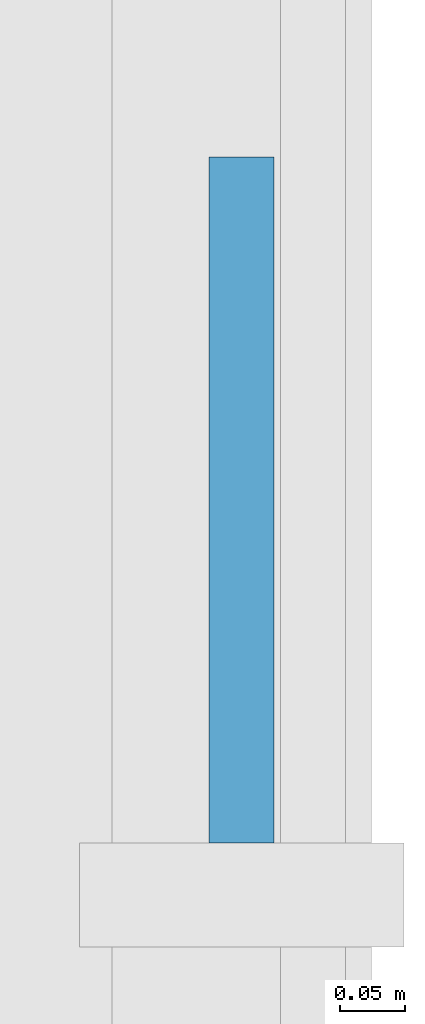
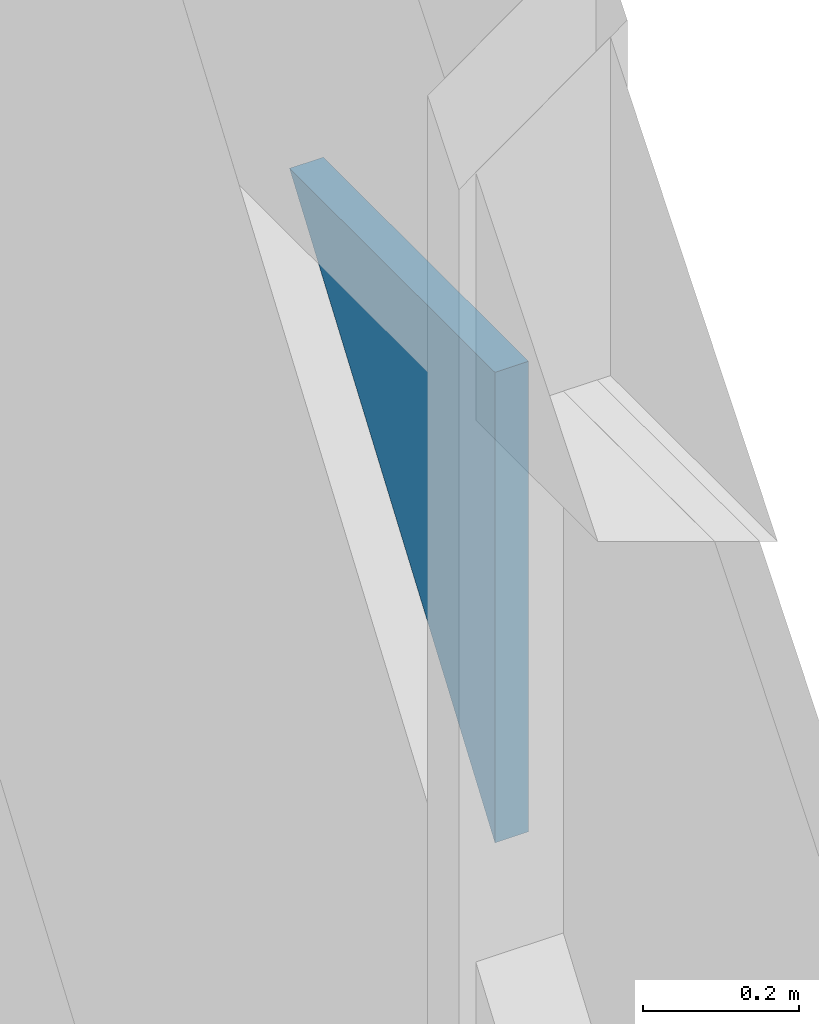
# One storey, part 13 of 17: 1 plate, 1 element without a shape of its own.
"""IFC4 building model written with IfcOpenShell, lengths in metres."""

from ifc_helpers import new_model, si_unit, direction, frame, origin, place, context, subcontext, project, spatial, polyline, outline, extrude, material, layer, layer_set, type_object, element, aggregate, save


model = new_model("IFC4")

# Units and contexts
model_context = context("Model", 3, precision=1e-05, world=origin(), true_north=direction((0.0, 1.0)))
body_context = subcontext(model_context, "Body", "Model", "MODEL_VIEW")
ifc_project = project(units=[si_unit("LENGTHUNIT", "METRE"), si_unit("AREAUNIT", "SQUARE_METRE"), si_unit("VOLUMEUNIT", "CUBIC_METRE"), si_unit("PLANEANGLEUNIT", "RADIAN"), si_unit("MASSUNIT", "GRAM", prefix="KILO")], contexts=[model_context])

# Site, building, storey
site_placement = place(None, origin())
site = spatial("IfcSite", under=ifc_project, at=site_placement, CompositionType="ELEMENT")
building_placement = place(site_placement, origin())
building = spatial("IfcBuilding", under=site, at=building_placement, Name="Rheinbord Bourse Tower", CompositionType="ELEMENT")
storey_placement = place(building_placement, frame((0.0, 0.0, 265.60009765625)))
storey = spatial("IfcBuildingStorey", under=building, at=storey_placement, Name="L60", CompositionType="ELEMENT", Elevation=265.60009765625)

# Curtain wall, plate
ifc_material_1 = material(Name="Dark glass and black aluminium", Category="aluminium")
curtain_wall_type = type_object("IfcCurtainWallType", Name="CW5 DARK GLASS CURTAIN WALL", PredefinedType="USERDEFINED", material=ifc_material_1)
curtain_wall_placement = place(storey_placement, origin())
curtain_wall = element("IfcCurtainWall", 1, at=curtain_wall_placement, inside=storey, type_object=curtain_wall_type, Name="Curtain wall CW5 E L60", ObjectType="UNITISED CURTAIN WALL", PredefinedType="USERDEFINED")
ifc_material_2 = material(Name="Dark tinted triple insulating glass", Category="glass")
ifc_layer = layer(ifc_material_2, 0.050048828125)
ifc_layer_set = layer_set([ifc_layer], Name="CW5 DARK GLASS PANEL")
plate_type = type_object("IfcPlateType", Name="CW5 DARK GLASS PANEL", PredefinedType="CURTAIN_PANEL", material=ifc_layer_set)
plate_placement = place(storey_placement, frame((72.625, 14.239990234375, 4.349853515625), z_axis=(-1.0, 0.0, 0.0), x_axis=(0.0, 1.0, 0.0)))
plate = element("IfcPlate", 2, at=plate_placement, type_object=plate_type, Name="CW5 glass facet 1", PredefinedType="CURTAIN_PANEL", context=body_context, shape_type="SweptSolid", body=[
    extrude(outline(polyline([(0.0, 0.0), (0.528076171875, 0.0), (0.0, 0.738037109375), (0.0, 0.0)])), origin(), (0.0, 0.0, 1.0), 0.050048828125),
])
aggregate(curtain_wall, [plate])

save(model, "model.ifc")
